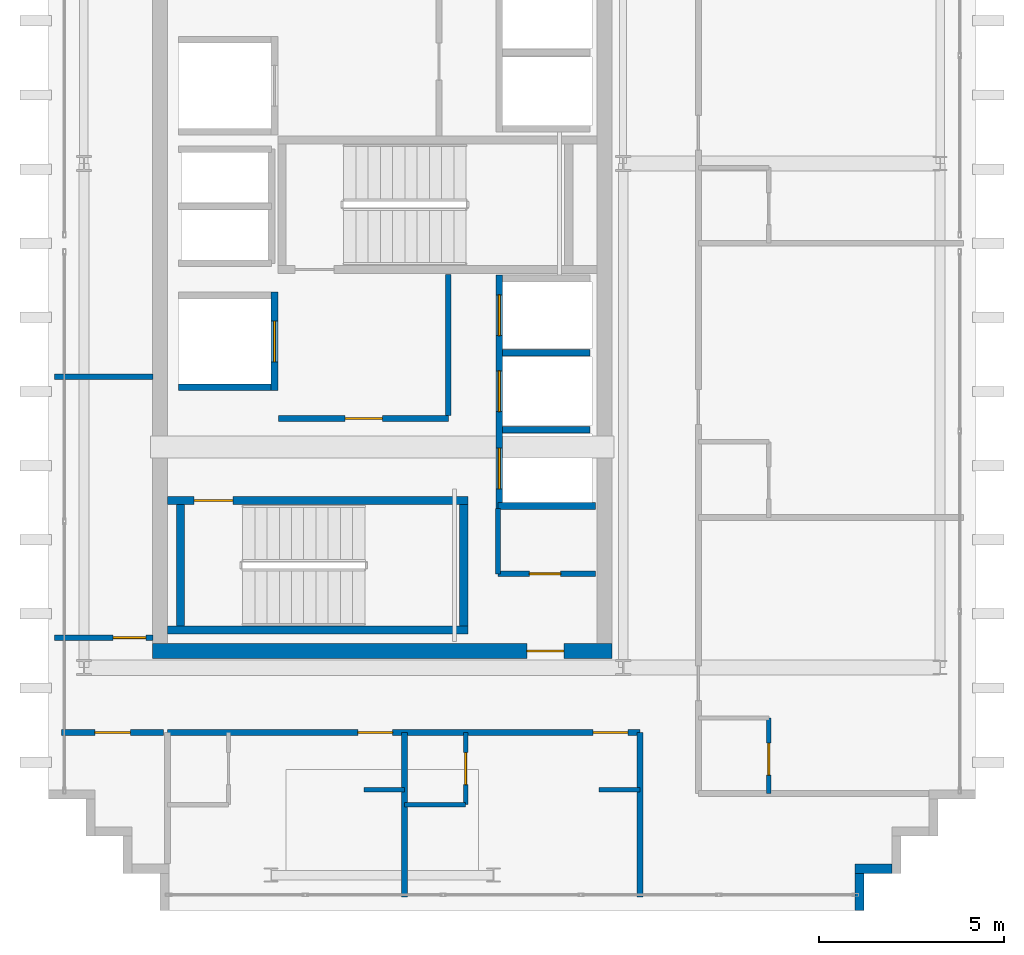
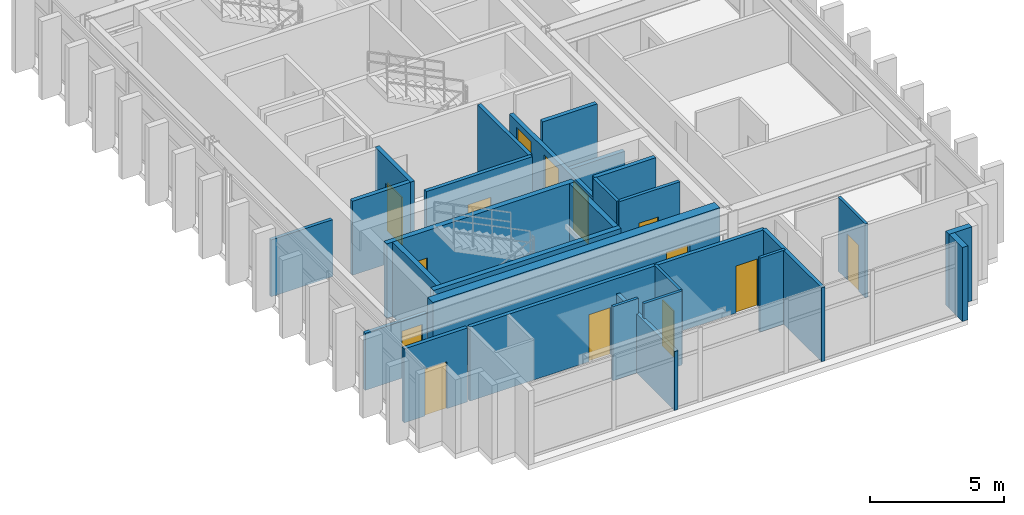
# One storey, part 12 of 15: 28 walls, 14 doors, 14 openings.
"""IFC4 building model written with IfcOpenShell, lengths in metres."""

from ifc_helpers import new_model, si_unit, direction, frame, frame_2d, origin, place, context, subcontext, project, spatial, rectangle, extrude, source, transform, mapped, material, layer, layer_set, type_object, element, fill, save


model = new_model("IFC4")

# Units and contexts
model_context = context("Model", 3, precision=1e-05, world=origin(), true_north=direction((0.0, 1.0)))
body_context = subcontext(model_context, "Body", "Model", "MODEL_VIEW")
ifc_project = project(units=[si_unit("LENGTHUNIT", "METRE"), si_unit("AREAUNIT", "SQUARE_METRE"), si_unit("VOLUMEUNIT", "CUBIC_METRE"), si_unit("PLANEANGLEUNIT", "RADIAN"), si_unit("MASSUNIT", "GRAM", prefix="KILO")], contexts=[model_context])

# Site, building, storey
site_placement = place(None, origin())
site = spatial("IfcSite", under=ifc_project, at=site_placement, CompositionType="ELEMENT")
building_placement = place(site_placement, origin())
building = spatial("IfcBuilding", under=site, at=building_placement, Name="Ocotamira Hotel", CompositionType="ELEMENT")
storey_placement = place(building_placement, frame((0.0, 0.0, 290.39990234375)))
storey = spatial("IfcBuildingStorey", under=building, at=storey_placement, Name="L74", CompositionType="ELEMENT", Elevation=290.39990234375)

# Wall, opening, door
ifc_material_1 = material(Name="Concrete C50/60", Category="concrete")
ifc_layer_1 = layer(ifc_material_1, 0.39990234375)
ifc_layer_set_1 = layer_set([ifc_layer_1], Name="Concrete C50/60")
wall_type_1 = type_object("IfcWallType", Name="WL-CORE-400", PredefinedType="SHEAR", material=ifc_layer_set_1)
wall_1_placement = place(storey_placement, frame((10.800048828125, 15.0, 0.0), z_axis=(0.0, 0.0, 1.0), x_axis=(1.0, 0.0, 0.0)))
wall_1 = element("IfcWall", 1, at=wall_1_placement, inside=storey, type_object=wall_type_1, Name="L74 Shear Core Wall WCORE-S", PredefinedType="SHEAR", context=body_context, shape_type="SweptSolid", body=[
    extrude(rectangle(XDim=12.39990234375, YDim=0.39990234375, at=frame_2d((6.199951171875, 0.0))), origin(), (0.0, 0.0, 1.0), 3.380126953125),
])
opening_1_placement = place(wall_1_placement, frame((10.10009765625, 0.0, 0.0)))
opening_1 = element("IfcOpeningElement", 2, at=opening_1_placement, cuts=wall_1, Name="Opening D-FR2", PredefinedType="OPENING", context=body_context, shape_type="SweptSolid", body=[
    extrude(rectangle(XDim=1.0, YDim=2.14990234375, at=frame_2d((0.5, 1.074951171875))), frame((0.0, 0.2099609375, 0.0), z_axis=(0.0, -1.0, 0.0), x_axis=(1.0, 0.0, 0.0)), (0.0, 0.0, 1.0), 0.419921875),
])
ifc_material_2 = material(Name="Fire-rated acoustic timber-veneer door", Category="wood")
door_type_1 = type_object("IfcDoorType", Name="DR-FIRE-1000", OperationType="NOTDEFINED", PredefinedType="DOOR", material=ifc_material_2)
shared_shape_1 = source(origin(), body_context, "Body", "SweptSolid", [
    extrude(rectangle(XDim=1.0, YDim=2.14990234375, at=frame_2d((0.5, 1.074951171875))), frame((0.0, 0.02490234375, 0.0), z_axis=(0.0, -1.0, 0.0), x_axis=(1.0, 0.0, 0.0)), (0.0, 0.0, 1.0), 0.050048828125),
])
door_1_placement = place(opening_1_placement, origin())
door_1 = element("IfcDoor", 3, at=door_1_placement, inside=storey, type_object=door_type_1, Name="L74 Door ID-L74-WLOB-S-D [ID-L74-WLOB-S-D]", OperationType="SINGLE_SWING_LEFT", OverallHeight=2.14990234375, OverallWidth=1.0, PredefinedType="DOOR", context=body_context, shape_type="MappedRepresentation", body=[
    mapped(shared_shape_1, transform((0.0, 0.0, 0.0), scale=1.0)),
])
fill(opening_1, door_1)

# Walls
ifc_material_3 = material(Name="Precast concrete C45/55", Category="concrete")
ifc_layer_2 = layer(ifc_material_3, 0.25)
ifc_layer_set_2 = layer_set([ifc_layer_2], Name="Precast concrete C45/55")
wall_type_2 = type_object("IfcWallType", Name="WL-EXT-SER-250", PredefinedType="SOLIDWALL", material=ifc_layer_set_2)
for number, where, z_axis, x_axis, name in (
    (4, (29.875, 8.0, 0.0), (0.0, 0.0, 1.0), (0.0, 1.0, 0.0), "L74 Serrated Corner Wall 01"),
    (5, (29.75, 9.125, 0.0), (0.0, 0.0, 1.0), (1.0, 0.0, 0.0), "L74 Serrated Corner Wall 02"),
):
    element("IfcWall", number, at=place(storey_placement, frame(where, z_axis=z_axis, x_axis=x_axis)), inside=storey, type_object=wall_type_2, Name=name, PredefinedType="SOLIDWALL", context=body_context, shape_type="SweptSolid", body=[
        extrude(rectangle(XDim=1.0, YDim=0.25, at=frame_2d((0.5, 0.0))), origin(), (0.0, 0.0, 1.0), 3.380126953125),
    ])

# Wall, opening, door
ifc_material_4 = material(Name="Acoustic double-layer fire gypsum board partition", Category="gypsum")
ifc_layer_3 = layer(ifc_material_4, 0.159912109375)
ifc_layer_set_3 = layer_set([ifc_layer_3], Name="Acoustic double-layer fire gypsum board partition")
wall_type_3 = type_object("IfcWallType", Name="WL-FIRE-160", PredefinedType="PARTITIONING", material=ifc_layer_set_3)
wall_2_placement = place(storey_placement, frame((14.199951171875, 21.27001953125, 0.0), z_axis=(0.0, 0.0, 1.0), x_axis=(1.0, 0.0, 0.0)))
wall_2 = element("IfcWall", 6, at=wall_2_placement, inside=storey, type_object=wall_type_3, Name="L74 Interior Wall PW-L74-FSAE1-S", PredefinedType="PARTITIONING", context=body_context, shape_type="SweptSolid", body=[
    extrude(rectangle(XDim=4.580078125, YDim=0.159912109375, at=frame_2d((2.2900390625, 0.0))), origin(), (0.0, 0.0, 1.0), 3.380126953125),
])
opening_2_placement = place(wall_2_placement, frame((1.800048828125, 0.0, 0.0)))
opening_2 = element("IfcOpeningElement", 7, at=opening_2_placement, cuts=wall_2, Name="Opening D-FR2", PredefinedType="OPENING", context=body_context, shape_type="SweptSolid", body=[
    extrude(rectangle(XDim=1.0, YDim=2.14990234375, at=frame_2d((0.5, 1.074951171875))), frame((0.0, 0.08984375, 0.0), z_axis=(0.0, -1.0, 0.0), x_axis=(1.0, 0.0, 0.0)), (0.0, 0.0, 1.0), 0.179931640625),
])
door_2_placement = place(opening_2_placement, origin())
door_2 = element("IfcDoor", 8, at=door_2_placement, inside=storey, type_object=door_type_1, Name="L74 Door ID-L74-FSAE1-D [ID-L74-FSAE1-D]", OperationType="SINGLE_SWING_LEFT", OverallHeight=2.14990234375, OverallWidth=1.0, PredefinedType="DOOR", context=body_context, shape_type="MappedRepresentation", body=[
    mapped(shared_shape_1, transform((0.0, 0.0, 0.0), scale=1.0)),
])
fill(opening_2, door_2)

# Wall
wall_3_placement = place(storey_placement, frame((18.780029296875, 21.35009765625, 0.0), z_axis=(0.0, 0.0, 1.0), x_axis=(0.0, 1.0, 0.0)))
element("IfcWall", 9, at=wall_3_placement, inside=storey, type_object=wall_type_3, Name="L74 Interior Wall PW-L74-FSAE1-E", PredefinedType="PARTITIONING", context=body_context, shape_type="SweptSolid", body=[
    extrude(rectangle(XDim=3.809814453125, YDim=0.159912109375, at=frame_2d((1.90478515625, 0.0))), origin(), (0.0, 0.0, 1.0), 3.380126953125),
])

# Wall, openings, doors
wall_4_placement = place(storey_placement, frame((11.199951171875, 12.800048828125, 0.0), z_axis=(0.0, 0.0, 1.0), x_axis=(1.0, 0.0, 0.0)))
wall_4 = element("IfcWall", 10, at=wall_4_placement, inside=storey, type_object=wall_type_3, Name="L74 Interior Wall PW-L74-WP1S-CORRW", PredefinedType="PARTITIONING", context=body_context, shape_type="SweptSolid", body=[
    extrude(rectangle(XDim=12.75, YDim=0.159912109375, at=frame_2d((6.375, 0.0))), origin(), (0.0, 0.0, 1.0), 3.380126953125),
])
opening_3_placement = place(wall_4_placement, frame((5.139892578125, 0.0, 0.0)))
opening_3 = element("IfcOpeningElement", 11, at=opening_3_placement, cuts=wall_4, Name="Opening D-GR1", PredefinedType="OPENING", context=body_context, shape_type="SweptSolid", body=[
    extrude(rectangle(XDim=0.93994140625, YDim=2.14990234375, at=frame_2d((0.469970703125, 1.074951171875))), frame((0.0, 0.08984375, 0.0), z_axis=(0.0, -1.0, 0.0), x_axis=(1.0, 0.0, 0.0)), (0.0, 0.0, 1.0), 0.179931640625),
])
opening_4_placement = place(wall_4_placement, frame((11.489990234375, 0.0, 0.0)))
opening_4 = element("IfcOpeningElement", 12, at=opening_4_placement, cuts=wall_4, Name="Opening D-GR1", PredefinedType="OPENING", context=body_context, shape_type="SweptSolid", body=[
    extrude(rectangle(XDim=0.93994140625, YDim=2.14990234375, at=frame_2d((0.469970703125, 1.074951171875))), frame((0.0, 0.08984375, 0.0), z_axis=(0.0, -1.0, 0.0), x_axis=(1.0, 0.0, 0.0)), (0.0, 0.0, 1.0), 0.179931640625),
])
ifc_material_5 = material(Name="Solid-core walnut suite entrance fire door", Category="wood")
door_type_2 = type_object("IfcDoorType", Name="DR-GUEST-940", OperationType="NOTDEFINED", PredefinedType="DOOR", material=ifc_material_5)
shared_shape_2 = source(origin(), body_context, "Body", "SweptSolid", [
    extrude(rectangle(XDim=0.93994140625, YDim=2.14990234375, at=frame_2d((0.469970703125, 1.074951171875))), frame((0.0, 0.02490234375, 0.0), z_axis=(0.0, -1.0, 0.0), x_axis=(1.0, 0.0, 0.0)), (0.0, 0.0, 1.0), 0.050048828125),
])
door_3_placement = place(opening_3_placement, origin())
door_3 = element("IfcDoor", 13, at=door_3_placement, inside=storey, type_object=door_type_2, Name="L74 Door ID-L74-WP1S-RMD1 [ID-L74-WP1S-RMD1]", OperationType="SINGLE_SWING_LEFT", OverallHeight=2.14990234375, OverallWidth=0.93994140625, PredefinedType="DOOR", context=body_context, shape_type="MappedRepresentation", body=[
    mapped(shared_shape_2, transform((0.0, 0.0, 0.0), scale=1.0)),
])
fill(opening_3, door_3)
door_4_placement = place(opening_4_placement, origin())
door_4 = element("IfcDoor", 14, at=door_4_placement, inside=storey, type_object=door_type_2, Name="L74 Door ID-L74-WP1S-RMD2 [ID-L74-WP1S-RMD2]", OperationType="SINGLE_SWING_RIGHT", OverallHeight=2.14990234375, OverallWidth=0.93994140625, PredefinedType="DOOR", context=body_context, shape_type="MappedRepresentation", body=[
    mapped(shared_shape_2, transform((0.0, 0.0, 0.0), scale=1.0)),
])
fill(opening_4, door_4)

# Wall, opening, door
wall_5_placement = place(storey_placement, frame((8.35009765625, 12.800048828125, 0.0), z_axis=(0.0, 0.0, 1.0), x_axis=(1.0, 0.0, 0.0)))
wall_5 = element("IfcWall", 15, at=wall_5_placement, inside=storey, type_object=wall_type_3, Name="L74 Interior Wall PW-L74-WPCSW1-CW", PredefinedType="PARTITIONING", context=body_context, shape_type="SweptSolid", body=[
    extrude(rectangle(XDim=2.75, YDim=0.159912109375, at=frame_2d((1.375, 0.0))), origin(), (0.0, 0.0, 1.0), 3.380126953125),
])
opening_5_placement = place(wall_5_placement, frame((0.89501953125, 0.0, 0.0)))
opening_5 = element("IfcOpeningElement", 16, at=opening_5_placement, cuts=wall_5, Name="Opening D-SV4", PredefinedType="OPENING", context=body_context, shape_type="SweptSolid", body=[
    extrude(rectangle(XDim=0.9599609375, YDim=2.14990234375, at=frame_2d((0.47998046875, 1.074951171875))), frame((0.0, 0.08984375, 0.0), z_axis=(0.0, -1.0, 0.0), x_axis=(1.0, 0.0, 0.0)), (0.0, 0.0, 1.0), 0.179931640625),
])
ifc_material_6 = material(Name="Fire-rated accessible walnut salon door", Category="wood")
door_type_3 = type_object("IfcDoorType", Name="DR-SERV-960", OperationType="NOTDEFINED", PredefinedType="DOOR", material=ifc_material_6)
shared_shape_3 = source(origin(), body_context, "Body", "SweptSolid", [
    extrude(rectangle(XDim=0.9599609375, YDim=2.14990234375, at=frame_2d((0.47998046875, 1.074951171875))), frame((0.0, 0.02490234375, 0.0), z_axis=(0.0, -1.0, 0.0), x_axis=(1.0, 0.0, 0.0)), (0.0, 0.0, 1.0), 0.050048828125),
])
door_5_placement = place(opening_5_placement, origin())
door_5 = element("IfcDoor", 17, at=door_5_placement, inside=storey, type_object=door_type_3, Name="L74 Door ID-L74-WPCSW1-CD [ID-L74-WPCSW1-CD]", OperationType="SINGLE_SWING_LEFT", OverallHeight=2.14990234375, OverallWidth=0.9599609375, PredefinedType="DOOR", context=body_context, shape_type="MappedRepresentation", body=[
    mapped(shared_shape_3, transform((0.0, 0.0, 0.0), scale=1.0)),
])
fill(opening_5, door_5)

# Wall
ifc_material_7 = material(Name="Moisture-resistant en-suite tile and gypsum partition", Category="gypsum")
ifc_layer_4 = layer(ifc_material_7, 0.1201171875)
ifc_layer_set_4 = layer_set([ifc_layer_4], Name="Moisture-resistant en-suite tile and gypsum partition")
wall_type_4 = type_object("IfcWallType", Name="WL-PART-120", PredefinedType="PARTITIONING", material=ifc_layer_set_4)
wall_6_placement = place(storey_placement, frame((16.5, 11.25, 0.0), z_axis=(0.0, 0.0, 1.0), x_axis=(1.0, 0.0, 0.0)))
element("IfcWall", 18, at=wall_6_placement, inside=storey, type_object=wall_type_4, Name="L74 Interior Wall PW-L74-WP1S-DRN1", PredefinedType="PARTITIONING", context=body_context, shape_type="SweptSolid", body=[
    extrude(rectangle(XDim=1.10009765625, YDim=0.1201171875, at=frame_2d((0.550048828125, 0.0))), origin(), (0.0, 0.0, 1.0), 3.380126953125),
])

# Wall, opening, door
wall_7_placement = place(storey_placement, frame((19.25, 10.85009765625, 0.0), z_axis=(0.0, 0.0, 1.0), x_axis=(0.0, 1.0, 0.0)))
wall_7 = element("IfcWall", 19, at=wall_7_placement, inside=storey, type_object=wall_type_4, Name="L74 Interior Wall PW-L74-WP1S-BAE2", PredefinedType="PARTITIONING", context=body_context, shape_type="SweptSolid", body=[
    extrude(rectangle(XDim=1.949951171875, YDim=0.1201171875, at=frame_2d((0.97509765625, 0.0))), origin(), (0.0, 0.0, 1.0), 3.380126953125),
])
opening_6_placement = place(wall_7_placement, frame((0.544921875, 0.0, 0.0)))
opening_6 = element("IfcOpeningElement", 20, at=opening_6_placement, cuts=wall_7, Name="Opening D-BA1", PredefinedType="OPENING", context=body_context, shape_type="SweptSolid", body=[
    extrude(rectangle(XDim=0.860107421875, YDim=2.10009765625, at=frame_2d((0.43017578125, 1.050048828125))), frame((0.0, 0.070068359375, 0.0), z_axis=(0.0, -1.0, 0.0), x_axis=(1.0, 0.0, 0.0)), (0.0, 0.0, 1.0), 0.14013671875),
])
ifc_material_8 = material(Name="Moisture-sealed en-suite timber door", Category="wood")
door_type_4 = type_object("IfcDoorType", Name="DR-BATH-860", OperationType="NOTDEFINED", PredefinedType="DOOR", material=ifc_material_8)
shared_shape_4 = source(origin(), body_context, "Body", "SweptSolid", [
    extrude(rectangle(XDim=0.860107421875, YDim=2.10009765625, at=frame_2d((0.43017578125, 1.050048828125))), frame((0.0, 0.02490234375, 0.0), z_axis=(0.0, -1.0, 0.0), x_axis=(1.0, 0.0, 0.0)), (0.0, 0.0, 1.0), 0.050048828125),
])
door_6_placement = place(opening_6_placement, origin())
door_6 = element("IfcDoor", 21, at=door_6_placement, inside=storey, type_object=door_type_4, Name="L74 Door ID-L74-WP1S-BAD2 [ID-L74-WP1S-BAD2]", OperationType="SINGLE_SWING_LEFT", OverallHeight=2.10009765625, OverallWidth=0.860107421875, PredefinedType="DOOR", context=body_context, shape_type="MappedRepresentation", body=[
    mapped(shared_shape_4, transform((0.0, 0.0, 0.0), scale=1.0)),
])
fill(opening_6, door_6)

# Walls
wall_8_placement = place(storey_placement, frame((17.60009765625, 10.85009765625, 0.0), z_axis=(0.0, 0.0, 1.0), x_axis=(1.0, 0.0, 0.0)))
element("IfcWall", 22, at=wall_8_placement, inside=storey, type_object=wall_type_4, Name="L74 Interior Wall PW-L74-WP1S-BAS2", PredefinedType="PARTITIONING", context=body_context, shape_type="SweptSolid", body=[
    extrude(rectangle(XDim=1.64990234375, YDim=0.1201171875, at=frame_2d((0.824951171875, 0.0))), origin(), (0.0, 0.0, 1.0), 3.380126953125),
])
wall_9_placement = place(storey_placement, frame((22.85009765625, 11.25, 0.0), z_axis=(0.0, 0.0, 1.0), x_axis=(1.0, 0.0, 0.0)))
element("IfcWall", 23, at=wall_9_placement, inside=storey, type_object=wall_type_4, Name="L74 Interior Wall PW-L74-WP1S-DRN2", PredefinedType="PARTITIONING", context=body_context, shape_type="SweptSolid", body=[
    extrude(rectangle(XDim=1.099853515625, YDim=0.1201171875, at=frame_2d((0.5498046875, 0.0))), origin(), (0.0, 0.0, 1.0), 3.380126953125),
])

# Wall, opening, door
wall_10_placement = place(storey_placement, frame((27.429931640625, 11.14990234375, 0.0), z_axis=(0.0, 0.0, 1.0), x_axis=(0.0, 1.0, 0.0)))
wall_10 = element("IfcWall", 24, at=wall_10_placement, inside=storey, type_object=wall_type_4, Name="L74 Interior Wall PW-L74-WP-EBE1", PredefinedType="PARTITIONING", context=body_context, shape_type="SweptSolid", body=[
    extrude(rectangle(XDim=2.0400390625, YDim=0.1201171875, at=frame_2d((1.02001953125, 0.0))), origin(), (0.0, 0.0, 1.0), 3.380126953125),
])
opening_7_placement = place(wall_10_placement, frame((0.5, 0.0, 0.0)))
opening_7 = element("IfcOpeningElement", 25, at=opening_7_placement, cuts=wall_10, Name="Opening D-BA1", PredefinedType="OPENING", context=body_context, shape_type="SweptSolid", body=[
    extrude(rectangle(XDim=0.860107421875, YDim=2.10009765625, at=frame_2d((0.43017578125, 1.050048828125))), frame((0.0, 0.070068359375, 0.0), z_axis=(0.0, -1.0, 0.0), x_axis=(1.0, 0.0, 0.0)), (0.0, 0.0, 1.0), 0.14013671875),
])
door_7_placement = place(opening_7_placement, origin())
door_7 = element("IfcDoor", 26, at=door_7_placement, inside=storey, type_object=door_type_4, Name="L74 Door ID-L74-WP-EBD1 [ID-L74-WP-EBD1]", OperationType="SINGLE_SWING_LEFT", OverallHeight=2.10009765625, OverallWidth=0.860107421875, PredefinedType="DOOR", context=body_context, shape_type="MappedRepresentation", body=[
    mapped(shared_shape_4, transform((0.0, 0.0, 0.0), scale=1.0)),
])
fill(opening_7, door_7)

# Wall
ifc_material_9 = material(Name="Acoustic hospitality gypsum board partition", Category="gypsum")
ifc_layer_5 = layer(ifc_material_9, 0.14208984375)
ifc_layer_set_5 = layer_set([ifc_layer_5], Name="Acoustic hospitality gypsum board partition")
wall_type_5 = type_object("IfcWallType", Name="WL-PART-142", PredefinedType="PARTITIONING", material=ifc_layer_set_5)
wall_11_placement = place(storey_placement, frame((20.1201171875, 17.080078125, 0.0), z_axis=(0.0, 0.0, 1.0), x_axis=(0.0, 1.0, 0.0)))
element("IfcWall", 27, at=wall_11_placement, inside=storey, type_object=wall_type_5, Name="L74 Interior Wall PW-L74-WC-SE-W2", PredefinedType="PARTITIONING", context=body_context, shape_type="SweptSolid", body=[
    extrude(rectangle(XDim=1.760009765625, YDim=0.14208984375, at=frame_2d((0.8798828125, 0.0))), origin(), (0.0, 0.0, 1.0), 3.380126953125),
])

# Wall, opening, door
wall_12_placement = place(storey_placement, frame((20.1201171875, 17.080078125, 0.0), z_axis=(0.0, 0.0, 1.0), x_axis=(1.0, 0.0, 0.0)))
wall_12 = element("IfcWall", 28, at=wall_12_placement, inside=storey, type_object=wall_type_5, Name="L74 Interior Wall PW-L74-WC-SE-S2", PredefinedType="PARTITIONING", context=body_context, shape_type="SweptSolid", body=[
    extrude(rectangle(XDim=2.6298828125, YDim=0.14208984375, at=frame_2d((1.31494140625, 0.0))), origin(), (0.0, 0.0, 1.0), 3.380126953125),
])
opening_8_placement = place(wall_12_placement, frame((0.85009765625, 0.0, 0.0)))
opening_8 = element("IfcOpeningElement", 29, at=opening_8_placement, cuts=wall_12, Name="Opening D-SV1", PredefinedType="OPENING", context=body_context, shape_type="SweptSolid", body=[
    extrude(rectangle(XDim=0.840087890625, YDim=2.10009765625, at=frame_2d((0.419921875, 1.050048828125))), frame((0.0, 0.0810546875, 0.0), z_axis=(0.0, -1.0, 0.0), x_axis=(1.0, 0.0, 0.0)), (0.0, 0.0, 1.0), 0.162109375),
])
ifc_material_10 = material(Name="Fire-rated painted steel service door", Category="steel")
door_type_5 = type_object("IfcDoorType", Name="DR-SERV-840", OperationType="NOTDEFINED", PredefinedType="DOOR", material=ifc_material_10)
shared_shape_5 = source(origin(), body_context, "Body", "SweptSolid", [
    extrude(rectangle(XDim=0.840087890625, YDim=2.10009765625, at=frame_2d((0.419921875, 1.050048828125))), frame((0.0, 0.02490234375, 0.0), z_axis=(0.0, -1.0, 0.0), x_axis=(1.0, 0.0, 0.0)), (0.0, 0.0, 1.0), 0.050048828125),
])
door_8_placement = place(opening_8_placement, origin())
door_8 = element("IfcDoor", 30, at=door_8_placement, inside=storey, type_object=door_type_5, Name="L74 Door ID-L74-WC-SE-D2 [ID-L74-WC-SE-D2]", OperationType="SINGLE_SWING_LEFT", OverallHeight=2.10009765625, OverallWidth=0.840087890625, PredefinedType="DOOR", context=body_context, shape_type="MappedRepresentation", body=[
    mapped(shared_shape_5, transform((0.0, 0.0, 0.0), scale=1.0)),
])
fill(opening_8, door_8)

# Wall
wall_13_placement = place(storey_placement, frame((8.159912109375, 22.39990234375, 0.0), z_axis=(0.0, 0.0, 1.0), x_axis=(1.0, 0.0, 0.0)))
element("IfcWall", 31, at=wall_13_placement, inside=storey, type_object=wall_type_5, Name="L74 Interior Wall PW-L74-WP1W-DV1", PredefinedType="PARTITIONING", context=body_context, shape_type="SweptSolid", body=[
    extrude(rectangle(XDim=2.66015625, YDim=0.14208984375, at=frame_2d((1.330078125, 0.0))), origin(), (0.0, 0.0, 1.0), 2.60107421875),
])

# Wall, opening, door
ifc_layer_6 = layer(ifc_material_9, 0.14990234375)
ifc_layer_set_6 = layer_set([ifc_layer_6], Name="Acoustic hospitality gypsum board partition")
wall_type_6 = type_object("IfcWallType", Name="WL-PART-150", PredefinedType="PARTITIONING", material=ifc_layer_set_6)
wall_14_placement = place(storey_placement, frame((8.159912109375, 15.360107421875, 0.0), z_axis=(0.0, 0.0, 1.0), x_axis=(1.0, 0.0, 0.0)))
wall_14 = element("IfcWall", 32, at=wall_14_placement, inside=storey, type_object=wall_type_6, Name="L74 Interior Wall PW-L74-WP1W-WS", PredefinedType="PARTITIONING", context=body_context, shape_type="SweptSolid", body=[
    extrude(rectangle(XDim=2.66015625, YDim=0.14990234375, at=frame_2d((1.330078125, 0.0))), origin(), (0.0, 0.0, 1.0), 2.60107421875),
])
opening_9_placement = place(wall_14_placement, frame((1.580078125, 0.0, 0.0)))
opening_9 = element("IfcOpeningElement", 33, at=opening_9_placement, cuts=wall_14, Name="Opening D-SV2", PredefinedType="OPENING", context=body_context, shape_type="SweptSolid", body=[
    extrude(rectangle(XDim=0.8798828125, YDim=2.14990234375, at=frame_2d((0.43994140625, 1.074951171875))), frame((0.0, 0.0849609375, 0.0), z_axis=(0.0, -1.0, 0.0), x_axis=(1.0, 0.0, 0.0)), (0.0, 0.0, 1.0), 0.169921875),
])
door_type_6 = type_object("IfcDoorType", Name="DR-SERV-880", OperationType="NOTDEFINED", PredefinedType="DOOR", material=ifc_material_10)
shared_shape_6 = source(origin(), body_context, "Body", "SweptSolid", [
    extrude(rectangle(XDim=0.8798828125, YDim=2.14990234375, at=frame_2d((0.43994140625, 1.074951171875))), frame((0.0, 0.02490234375, 0.0), z_axis=(0.0, -1.0, 0.0), x_axis=(1.0, 0.0, 0.0)), (0.0, 0.0, 1.0), 0.050048828125),
])
door_9_placement = place(opening_9_placement, origin())
door_9 = element("IfcDoor", 34, at=door_9_placement, inside=storey, type_object=door_type_6, Name="L74 Door ID-L74-WP1W-DS [ID-L74-WP1W-DS]", OperationType="SINGLE_SWING_LEFT", OverallHeight=2.14990234375, OverallWidth=0.8798828125, PredefinedType="DOOR", context=body_context, shape_type="MappedRepresentation", body=[
    mapped(shared_shape_6, transform((0.0, 0.0, 0.0), scale=1.0)),
])
fill(opening_9, door_9)

# Walls
ifc_material_11 = material(Name="Acoustic double-stud hospitality gypsum partition", Category="gypsum")
ifc_layer_7 = layer(ifc_material_11, 0.159912109375)
ifc_layer_set_7 = layer_set([ifc_layer_7], Name="Acoustic double-stud hospitality gypsum partition")
wall_type_7 = type_object("IfcWallType", Name="WL-PART-160", PredefinedType="PARTITIONING", material=ifc_layer_set_7)
wall_15_placement = place(storey_placement, frame((23.949951171875, 8.360107421875, 0.0), z_axis=(0.0, 0.0, 1.0), x_axis=(0.0, 1.0, 0.0)))
element("IfcWall", 35, at=wall_15_placement, inside=storey, type_object=wall_type_7, Name="L74 Interior Wall PW-L74-WP1S-PWEND", PredefinedType="PARTITIONING", context=body_context, shape_type="SweptSolid", body=[
    extrude(rectangle(XDim=4.43994140625, YDim=0.159912109375, at=frame_2d((2.219970703125, 0.0))), origin(), (0.0, 0.0, 1.0), 3.380126953125),
])
wall_16_placement = place(storey_placement, frame((17.60009765625, 8.360107421875, 0.0), z_axis=(0.0, 0.0, 1.0), x_axis=(0.0, 1.0, 0.0)))
element("IfcWall", 36, at=wall_16_placement, inside=storey, type_object=wall_type_7, Name="L74 Interior Wall PW-L74-WP1S-PW1", PredefinedType="PARTITIONING", context=body_context, shape_type="SweptSolid", body=[
    extrude(rectangle(XDim=4.43994140625, YDim=0.159912109375, at=frame_2d((2.219970703125, 0.0))), origin(), (0.0, 0.0, 1.0), 2.68701171875),
])

# Wall, openings, doors
ifc_material_12 = material(Name="Fire-rated gypsum shaftliner board assembly", Category="gypsum")
ifc_layer_8 = layer(ifc_material_12, 0.179931640625)
ifc_layer_set_8 = layer_set([ifc_layer_8], Name="Fire-rated gypsum shaftliner board assembly")
wall_type_8 = type_object("IfcWallType", Name="WL-SHAFT-180", PredefinedType="SOLIDWALL", material=ifc_layer_set_8)
wall_17_placement = place(storey_placement, frame((20.159912109375, 18.820068359375, 0.0), z_axis=(0.0, 0.0, 1.0), x_axis=(0.0, 1.0, 0.0)))
wall_17 = element("IfcWall", 37, at=wall_17_placement, inside=storey, type_object=wall_type_8, Name="L74 Interior Wall PW-L74-LFW-BANK-high-F", PredefinedType="SOLIDWALL", context=body_context, shape_type="SweptSolid", body=[
    extrude(rectangle(XDim=6.31982421875, YDim=0.179931640625, at=frame_2d((3.159912109375, 0.0))), origin(), (0.0, 0.0, 1.0), 2.47998046875),
])
opening_10_placement = place(wall_17_placement, frame((0.554931640625, 0.0, 0.0)))
opening_10 = element("IfcOpeningElement", 38, at=opening_10_placement, cuts=wall_17, Name="Opening LD-LF-P7", PredefinedType="OPENING", context=body_context, shape_type="SweptSolid", body=[
    extrude(rectangle(XDim=1.10009765625, YDim=2.199951171875, at=frame_2d((0.550048828125, 1.10009765625))), frame((0.0, 0.10009765625, 0.0), z_axis=(0.0, -1.0, 0.0), x_axis=(1.0, 0.0, 0.0)), (0.0, 0.0, 1.0), 0.199951171875),
])
opening_11_placement = place(wall_17_placement, frame((2.635009765625, 0.0, 0.0)))
opening_11 = element("IfcOpeningElement", 39, at=opening_11_placement, cuts=wall_17, Name="Opening LD-LF-P8", PredefinedType="OPENING", context=body_context, shape_type="SweptSolid", body=[
    extrude(rectangle(XDim=1.10009765625, YDim=2.199951171875, at=frame_2d((0.550048828125, 1.10009765625))), frame((0.0, 0.10009765625, 0.0), z_axis=(0.0, -1.0, 0.0), x_axis=(1.0, 0.0, 0.0)), (0.0, 0.0, 1.0), 0.199951171875),
])
opening_12_placement = place(wall_17_placement, frame((4.68994140625, 0.0, 0.0)))
opening_12 = element("IfcOpeningElement", 40, at=opening_12_placement, cuts=wall_17, Name="Opening LD-LF-P9", PredefinedType="OPENING", context=body_context, shape_type="SweptSolid", body=[
    extrude(rectangle(XDim=1.10009765625, YDim=2.199951171875, at=frame_2d((0.550048828125, 1.10009765625))), frame((0.0, 0.10009765625, 0.0), z_axis=(0.0, -1.0, 0.0), x_axis=(1.0, 0.0, 0.0)), (0.0, 0.0, 1.0), 0.199951171875),
])
ifc_material_13 = material(Name="Brushed pale-metal stainless elevator landing door", Category="steel")
door_type_7 = type_object("IfcDoorType", Name="DR-LIFT-1100", OperationType="NOTDEFINED", PredefinedType="DOOR", material=ifc_material_13)
shared_shape_7 = source(origin(), body_context, "Body", "SweptSolid", [
    extrude(rectangle(XDim=1.10009765625, YDim=2.199951171875, at=frame_2d((0.550048828125, 1.10009765625))), frame((0.0, 0.02490234375, 0.0), z_axis=(0.0, -1.0, 0.0), x_axis=(1.0, 0.0, 0.0)), (0.0, 0.0, 1.0), 0.050048828125),
])
door_10_placement = place(opening_10_placement, origin())
door_10 = element("IfcDoor", 41, at=door_10_placement, inside=storey, type_object=door_type_7, Name="L74 Landing Door LD-LF-P7 [ID-L74-LD-LF-P7]", OperationType="DOUBLE_DOOR_SLIDING", OverallHeight=2.199951171875, OverallWidth=1.10009765625, PredefinedType="DOOR", context=body_context, shape_type="MappedRepresentation", body=[
    mapped(shared_shape_7, transform((0.0, 0.0, 0.0), scale=1.0)),
])
fill(opening_10, door_10)
door_11_placement = place(opening_11_placement, origin())
door_11 = element("IfcDoor", 42, at=door_11_placement, inside=storey, type_object=door_type_7, Name="L74 Landing Door LD-LF-P8 [ID-L74-LD-LF-P8]", OperationType="DOUBLE_DOOR_SLIDING", OverallHeight=2.199951171875, OverallWidth=1.10009765625, PredefinedType="DOOR", context=body_context, shape_type="MappedRepresentation", body=[
    mapped(shared_shape_7, transform((0.0, 0.0, 0.0), scale=1.0)),
])
fill(opening_11, door_11)
door_12_placement = place(opening_12_placement, origin())
door_12 = element("IfcDoor", 43, at=door_12_placement, inside=storey, type_object=door_type_7, Name="L74 Landing Door LD-LF-P9 [ID-L74-LD-LF-P9]", OperationType="DOUBLE_DOOR_SLIDING", OverallHeight=2.199951171875, OverallWidth=1.10009765625, PredefinedType="DOOR", context=body_context, shape_type="MappedRepresentation", body=[
    mapped(shared_shape_7, transform((0.0, 0.0, 0.0), scale=1.0)),
])
fill(opening_12, door_12)

# Walls
wall_18_placement = place(storey_placement, frame((20.1201171875, 18.909912109375, 0.0), z_axis=(0.0, 0.0, 1.0), x_axis=(1.0, 0.0, 0.0)))
element("IfcWall", 44, at=wall_18_placement, inside=storey, type_object=wall_type_8, Name="L74 Interior Wall PW-L74-LFW-BANK-high-S", PredefinedType="SOLIDWALL", context=body_context, shape_type="SweptSolid", body=[
    extrude(rectangle(XDim=2.6298828125, YDim=0.179931640625, at=frame_2d((1.31494140625, 0.0))), origin(), (0.0, 0.0, 1.0), 3.380126953125),
])
wall_19_placement = place(storey_placement, frame((20.25, 20.965087890625, 0.0), z_axis=(0.0, 0.0, 1.0), x_axis=(1.0, 0.0, 0.0)))
element("IfcWall", 45, at=wall_19_placement, inside=storey, type_object=wall_type_8, Name="L74 Interior Wall PW-L74-LFW-DIV-LF-P7", PredefinedType="SOLIDWALL", context=body_context, shape_type="SweptSolid", body=[
    extrude(rectangle(XDim=2.360107421875, YDim=0.179931640625, at=frame_2d((1.18017578125, 0.0))), origin(), (0.0, 0.0, 1.0), 2.47998046875),
])
wall_20_placement = place(storey_placement, frame((20.25, 23.044921875, 0.0), z_axis=(0.0, 0.0, 1.0), x_axis=(1.0, 0.0, 0.0)))
element("IfcWall", 46, at=wall_20_placement, inside=storey, type_object=wall_type_8, Name="L74 Interior Wall PW-L74-LFW-DIV-LF-P8", PredefinedType="SOLIDWALL", context=body_context, shape_type="SweptSolid", body=[
    extrude(rectangle(XDim=2.360107421875, YDim=0.179931640625, at=frame_2d((1.18017578125, 0.0))), origin(), (0.0, 0.0, 1.0), 3.380126953125),
])
wall_21_placement = place(storey_placement, frame((11.5, 22.110107421875, 0.0), z_axis=(0.0, 0.0, 1.0), x_axis=(1.0, 0.0, 0.0)))
element("IfcWall", 47, at=wall_21_placement, inside=storey, type_object=wall_type_8, Name="L74 Interior Wall PW-L74-LFW-LF-FSAE1-S", PredefinedType="SOLIDWALL", context=body_context, shape_type="SweptSolid", body=[
    extrude(rectangle(XDim=2.5, YDim=0.179931640625, at=frame_2d((1.25, 0.0))), origin(), (0.0, 0.0, 1.0), 3.380126953125),
])

# Wall, opening, door
wall_22_placement = place(storey_placement, frame((14.090087890625, 22.02001953125, 0.0), z_axis=(0.0, 0.0, 1.0), x_axis=(0.0, 1.0, 0.0)))
wall_22 = element("IfcWall", 48, at=wall_22_placement, inside=storey, type_object=wall_type_8, Name="L74 Interior Wall PW-L74-LFW-LF-FSAE1-E", PredefinedType="SOLIDWALL", context=body_context, shape_type="SweptSolid", body=[
    extrude(rectangle(XDim=2.659912109375, YDim=0.179931640625, at=frame_2d((1.330078125, 0.0))), origin(), (0.0, 0.0, 1.0), 3.380126953125),
])
opening_13_placement = place(wall_22_placement, frame((0.780029296875, 0.0, 0.0)))
opening_13 = element("IfcOpeningElement", 49, at=opening_13_placement, cuts=wall_22, Name="Opening LD-LF-FSAE1", PredefinedType="OPENING", context=body_context, shape_type="SweptSolid", body=[
    extrude(rectangle(XDim=1.10009765625, YDim=2.199951171875, at=frame_2d((0.550048828125, 1.10009765625))), frame((0.0, 0.10009765625, 0.0), z_axis=(0.0, -1.0, 0.0), x_axis=(1.0, 0.0, 0.0)), (0.0, 0.0, 1.0), 0.199951171875),
])
door_13_placement = place(opening_13_placement, origin())
door_13 = element("IfcDoor", 50, at=door_13_placement, inside=storey, type_object=door_type_7, Name="L74 Landing Door LD-LF-FSAE1 [ID-L74-LD-LF-FSAE1]", OperationType="DOUBLE_DOOR_SLIDING", OverallHeight=2.199951171875, OverallWidth=1.10009765625, PredefinedType="DOOR", context=body_context, shape_type="MappedRepresentation", body=[
    mapped(shared_shape_7, transform((0.0, 0.0, 0.0), scale=1.0)),
])
fill(opening_13, door_13)

# Wall
ifc_layer_9 = layer(ifc_material_1, 0.219970703125)
ifc_layer_set_9 = layer_set([ifc_layer_9], Name="Concrete C50/60")
wall_type_9 = type_object("IfcWallType", Name="WL-STAIR-220", PredefinedType="SHEAR", material=ifc_layer_set_9)
wall_23_placement = place(storey_placement, frame((11.199951171875, 15.56005859375, 0.0), z_axis=(0.0, 0.0, 1.0), x_axis=(1.0, 0.0, 0.0)))
element("IfcWall", 51, at=wall_23_placement, inside=storey, type_object=wall_type_9, Name="L74 Stair Shaft Structural Wall ST-1-S", PredefinedType="SHEAR", context=body_context, shape_type="SweptSolid", body=[
    extrude(rectangle(XDim=8.110107421875, YDim=0.219970703125, at=frame_2d((4.05517578125, 0.0))), origin(), (0.0, 0.0, 1.0), 3.400146484375),
])

# Wall, opening, door
wall_24_placement = place(storey_placement, frame((11.199951171875, 19.06005859375, 0.0), z_axis=(0.0, 0.0, 1.0), x_axis=(1.0, 0.0, 0.0)))
wall_24 = element("IfcWall", 52, at=wall_24_placement, inside=storey, type_object=wall_type_9, Name="L74 Stair Shaft Structural Wall ST-1-N", PredefinedType="SHEAR", context=body_context, shape_type="SweptSolid", body=[
    extrude(rectangle(XDim=8.110107421875, YDim=0.219970703125, at=frame_2d((4.05517578125, 0.0))), origin(), (0.0, 0.0, 1.0), 3.400146484375),
])
opening_14_placement = place(wall_24_placement, frame((0.719970703125, 0.0, 0.0)))
opening_14 = element("IfcOpeningElement", 53, at=opening_14_placement, cuts=wall_24, Name="Opening D-ST2", PredefinedType="OPENING", context=body_context, shape_type="SweptSolid", body=[
    extrude(rectangle(XDim=1.050048828125, YDim=2.14990234375, at=frame_2d((0.52490234375, 1.074951171875))), frame((0.0, 0.1201171875, 0.0), z_axis=(0.0, -1.0, 0.0), x_axis=(1.0, 0.0, 0.0)), (0.0, 0.0, 1.0), 0.239990234375),
])
ifc_material_14 = material(Name="Insulated painted hollow-metal fire exit door", Category="steel")
door_type_8 = type_object("IfcDoorType", Name="DR-STAIR-1050", OperationType="NOTDEFINED", PredefinedType="DOOR", material=ifc_material_14)
shared_shape_8 = source(origin(), body_context, "Body", "SweptSolid", [
    extrude(rectangle(XDim=1.050048828125, YDim=2.14990234375, at=frame_2d((0.52490234375, 1.074951171875))), frame((0.0, 0.02490234375, 0.0), z_axis=(0.0, -1.0, 0.0), x_axis=(1.0, 0.0, 0.0)), (0.0, 0.0, 1.0), 0.050048828125),
])
door_14_placement = place(opening_14_placement, origin())
door_14 = element("IfcDoor", 54, at=door_14_placement, inside=storey, type_object=door_type_8, Name="L74 Door ID-L74-STD-ST-1 [ID-L74-STD-ST-1]", OperationType="SINGLE_SWING_LEFT", OverallHeight=2.14990234375, OverallWidth=1.050048828125, PredefinedType="DOOR", context=body_context, shape_type="MappedRepresentation", body=[
    mapped(shared_shape_8, transform((0.0, 0.0, 0.0), scale=1.0)),
])
fill(opening_14, door_14)

# Walls
for number, where, z_axis, x_axis, name in (
    (55, (11.56005859375, 15.669921875, 0.0), (0.0, 0.0, 1.0), (0.0, 1.0, 0.0), "L74 Stair Shaft Structural Wall ST-1-W"),
    (56, (19.199951171875, 15.669921875, 0.0), (0.0, 0.0, 1.0), (0.0, 1.0, 0.0), "L74 Stair Shaft Structural Wall ST-1-E"),
):
    element("IfcWall", number, at=place(storey_placement, frame(where, z_axis=z_axis, x_axis=x_axis)), inside=storey, type_object=wall_type_9, Name=name, PredefinedType="SHEAR", context=body_context, shape_type="SweptSolid", body=[
        extrude(rectangle(XDim=3.280029296875, YDim=0.219970703125, at=frame_2d((1.64013671875, 0.0))), origin(), (0.0, 0.0, 1.0), 3.400146484375),
    ])

save(model, "model.ifc")
